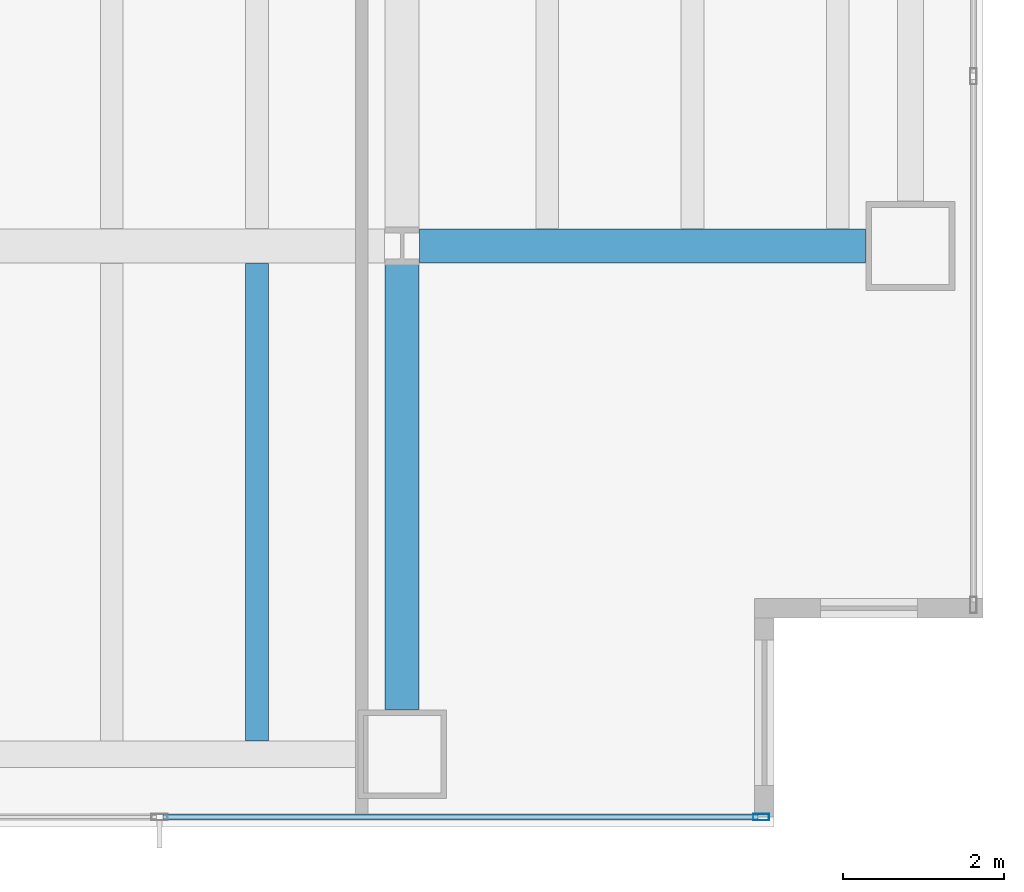
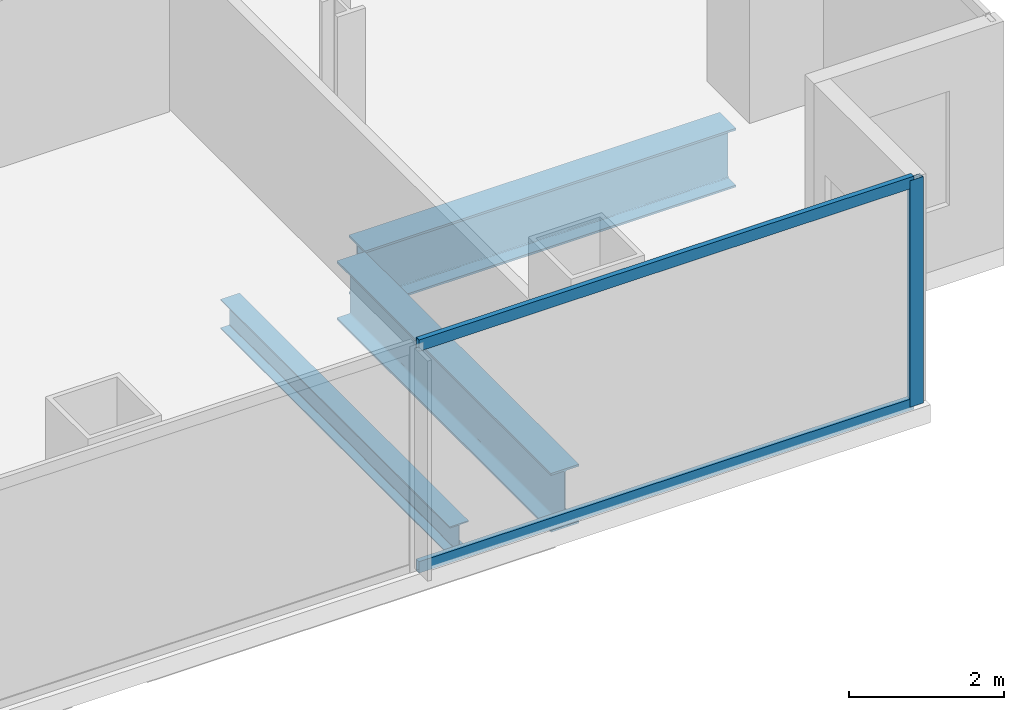
# One storey, part 8 of 25: 3 beams, 3 members, 1 element without a shape of its own.
"""IFC4 building model written with IfcOpenShell, lengths in metres."""

from ifc_helpers import new_model, si_unit, direction, frame, origin, origin_2d, place, context, subcontext, project, spatial, hollow_rectangle, i_section, extrude, material, material_profile, profile_set, type_object, element, aggregate, save


model = new_model("IFC4")

# Units and contexts
model_context = context("Model", 3, precision=1e-05, world=origin(), true_north=direction((0.0, 1.0)))
body_context = subcontext(model_context, "Body", "Model", "MODEL_VIEW")
ifc_project = project(units=[si_unit("LENGTHUNIT", "METRE"), si_unit("AREAUNIT", "SQUARE_METRE"), si_unit("VOLUMEUNIT", "CUBIC_METRE"), si_unit("PLANEANGLEUNIT", "RADIAN"), si_unit("MASSUNIT", "GRAM", prefix="KILO")], contexts=[model_context])

# Site, building, storey
site_placement = place(None, origin())
site = spatial("IfcSite", under=ifc_project, at=site_placement, CompositionType="ELEMENT")
building_placement = place(site_placement, origin())
building = spatial("IfcBuilding", under=site, at=building_placement, Name="Cobrela Telecom Tower", CompositionType="ELEMENT")
storey_placement = place(building_placement, frame((0.0, 0.0, 35.0)))
storey = spatial("IfcBuildingStorey", under=building, at=storey_placement, Name="L08", CompositionType="ELEMENT", Elevation=35.0)

# Beams
ifc_material_1 = material(Name="Steel ASTM A992 Grade 50", Category="steel")
ifc_material_profile_1 = material_profile(ifc_material_1, i_section(OverallWidth=0.4189453125, OverallDepth=0.927001953125, WebThickness=0.019287109375, FlangeThickness=0.031982421875, FilletRadius=0.02392578125, at=origin_2d()), Name="W36X231")
ifc_profile_set_1 = profile_set([ifc_material_profile_1], Name="Steel ASTM A992 Grade 50")
beam_type_1 = type_object("IfcBeamType", Name="BM-GIRD-02", PredefinedType="USERDEFINED", material=ifc_profile_set_1)
beam_1_placement = place(storey_placement, frame((43.416015625, 7.199951171875, -0.743408203125), z_axis=(1.0, 0.0, 0.0), x_axis=(0.0, 1.0, 0.0)))
element("IfcBeam", 1, at=beam_1_placement, inside=storey, type_object=beam_type_1, Name="L08 Primary Girder X12", ObjectType="GIRDER", PredefinedType="USERDEFINED", context=body_context, shape_type="SweptSolid", body=[
    extrude(i_section(OverallWidth=0.4189453125, OverallDepth=0.927001953125, WebThickness=0.019287109375, FlangeThickness=0.031982421875, FilletRadius=0.02392578125, at=origin_2d()), origin(), (0.0, 0.0, 1.0), 5.529052734375),
])
beam_2_placement = place(storey_placement, frame((43.199951171875, 1.455078125, -0.743408203125), z_axis=(0.0, 1.0, 0.0), x_axis=(-1.0, 0.0, 0.0)))
element("IfcBeam", 2, at=beam_2_placement, inside=storey, type_object=beam_type_1, Name="L08 Primary Girder Y53", ObjectType="GIRDER", PredefinedType="USERDEFINED", context=body_context, shape_type="SweptSolid", body=[
    extrude(i_section(OverallWidth=0.4189453125, OverallDepth=0.927001953125, WebThickness=0.019287109375, FlangeThickness=0.031982421875, FilletRadius=0.02392578125, at=origin_2d()), origin(), (0.0, 0.0, 1.0), 5.52880859375),
])
ifc_material_profile_2 = material_profile(ifc_material_1, i_section(OverallWidth=0.281982421875, OverallDepth=0.467041015625, WebThickness=0.01220703125, FlangeThickness=0.01953125, FilletRadius=0.012939453125, at=origin_2d()), Name="W18X86")
ifc_profile_set_2 = profile_set([ifc_material_profile_2], Name="Steel ASTM A992 Grade 50")
beam_type_2 = type_object("IfcBeamType", Name="BM-JOIST-02", PredefinedType="JOIST", material=ifc_profile_set_2)
beam_3_placement = place(storey_placement, frame((41.39990234375, 1.0673828125, -0.513427734375), z_axis=(0.0, 1.0, 0.0), x_axis=(-1.0, 0.0, 0.0)))
element("IfcBeam", 3, at=beam_3_placement, inside=storey, type_object=beam_type_2, Name="L08 Secondary Composite Floor Beam J56", PredefinedType="JOIST", context=body_context, shape_type="SweptSolid", body=[
    extrude(i_section(OverallWidth=0.281982421875, OverallDepth=0.467041015625, WebThickness=0.01220703125, FlangeThickness=0.01953125, FilletRadius=0.012939453125, at=origin_2d()), origin(), (0.0, 0.0, 1.0), 5.918212890625),
])

# Curtain wall, members
ifc_material_2 = material(Name="Anodized Bronze Aluminium 6063-T6", Category="aluminium")
curtain_wall_type = type_object("IfcCurtainWallType", Name="CW-SYS-DATA", PredefinedType="USERDEFINED", material=ifc_material_2)
curtain_wall_placement = place(storey_placement, origin())
curtain_wall = element("IfcCurtainWall", 4, at=curtain_wall_placement, inside=storey, type_object=curtain_wall_type, Name="L08 Unitised Bronze Curtain Wall 17", ObjectType="UNITISED CURTAIN WALL", PredefinedType="USERDEFINED")
ifc_material_profile_3 = material_profile(ifc_material_2, hollow_rectangle(XDim=0.080078125, YDim=0.199951171875, WallThickness=0.00390625, at=origin_2d()), Name="ALU 80x200x4")
ifc_profile_set_3 = profile_set([ifc_material_profile_3], Name="Anodized Bronze Aluminium 6063-T6")
member_type_1 = type_object("IfcMemberType", Name="CW-SYS-DATA-MUL", PredefinedType="MULLION", material=ifc_profile_set_3)
member_1_placement = place(storey_placement, frame((47.64990234375, 0.1201171875, 0.0), z_axis=(0.0, 0.0, 1.0), x_axis=(0.0, -1.0, 0.0)))
member_1 = element("IfcMember", 5, at=member_1_placement, type_object=member_type_1, Name="CW-DATA mullion 1", PredefinedType="MULLION", context=body_context, shape_type="SweptSolid", body=[
    extrude(hollow_rectangle(XDim=0.080078125, YDim=0.199951171875, WallThickness=0.00390625, at=origin_2d()), origin(), (0.0, 0.0, 1.0), 3.570068359375),
])
ifc_material_profile_4 = material_profile(ifc_material_2, hollow_rectangle(XDim=0.074951171875, YDim=0.179931640625, WallThickness=0.00390625, at=origin_2d()), Name="ALU 75x180x4")
ifc_profile_set_4 = profile_set([ifc_material_profile_4], Name="Anodized Bronze Aluminium 6063-T6")
member_type_2 = type_object("IfcMemberType", Name="CW-SYS-DATA-TRN", PredefinedType="USERDEFINED", material=ifc_profile_set_4)
member_2_placement = place(storey_placement, frame((47.610107421875, 0.1201171875, 0.03759765625), z_axis=(-1.0, 0.0, 0.0), x_axis=(0.0, -1.0, 0.0)))
member_2 = element("IfcMember", 6, at=member_2_placement, type_object=member_type_2, Name="CW-DATA transom 1.1", ObjectType="TRANSOM", PredefinedType="USERDEFINED", context=body_context, shape_type="SweptSolid", body=[
    extrude(hollow_rectangle(XDim=0.074951171875, YDim=0.179931640625, WallThickness=0.00390625, at=origin_2d()), origin(), (0.0, 0.0, 1.0), 7.376708984375),
])
member_3_placement = place(storey_placement, frame((47.610107421875, 0.1201171875, 3.532470703125), z_axis=(-1.0, 0.0, 0.0), x_axis=(0.0, -1.0, 0.0)))
member_3 = element("IfcMember", 7, at=member_3_placement, type_object=member_type_2, Name="CW-DATA transom 1.2", ObjectType="TRANSOM", PredefinedType="USERDEFINED", context=body_context, shape_type="SweptSolid", body=[
    extrude(hollow_rectangle(XDim=0.074951171875, YDim=0.179931640625, WallThickness=0.00390625, at=origin_2d()), origin(), (0.0, 0.0, 1.0), 7.376708984375),
])
aggregate(curtain_wall, [member_1, member_2, member_3])

save(model, "model.ifc")
